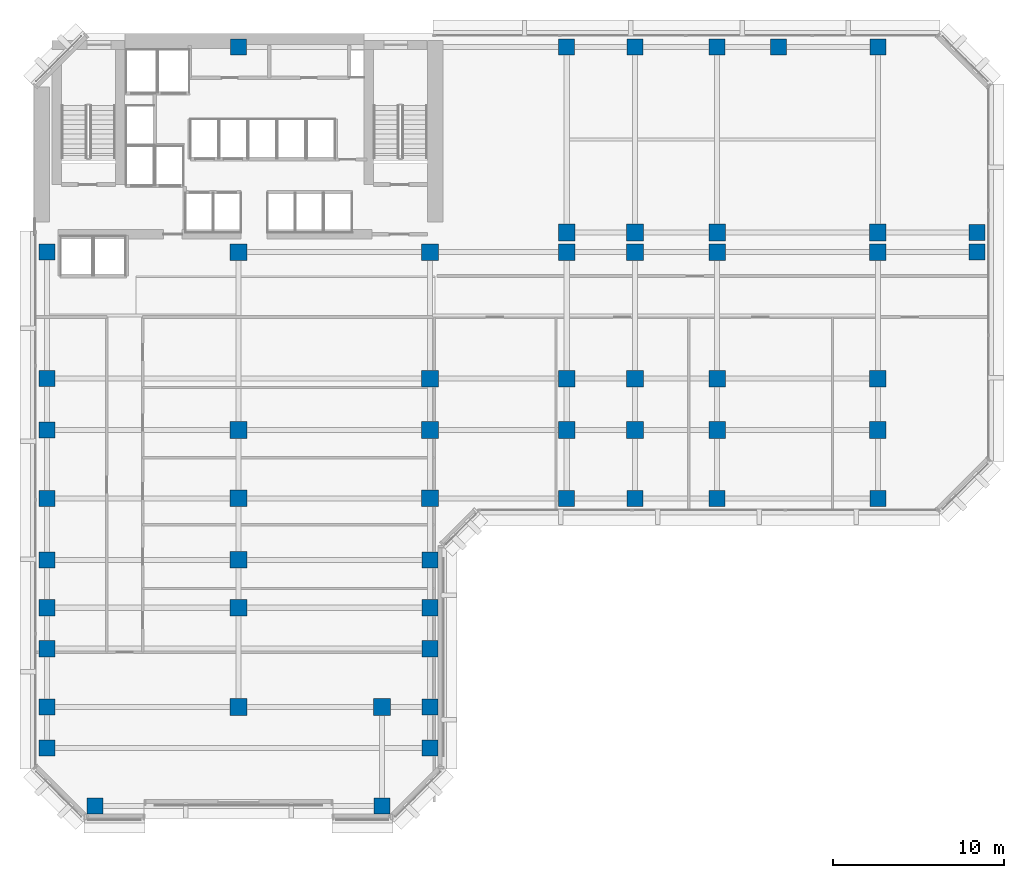
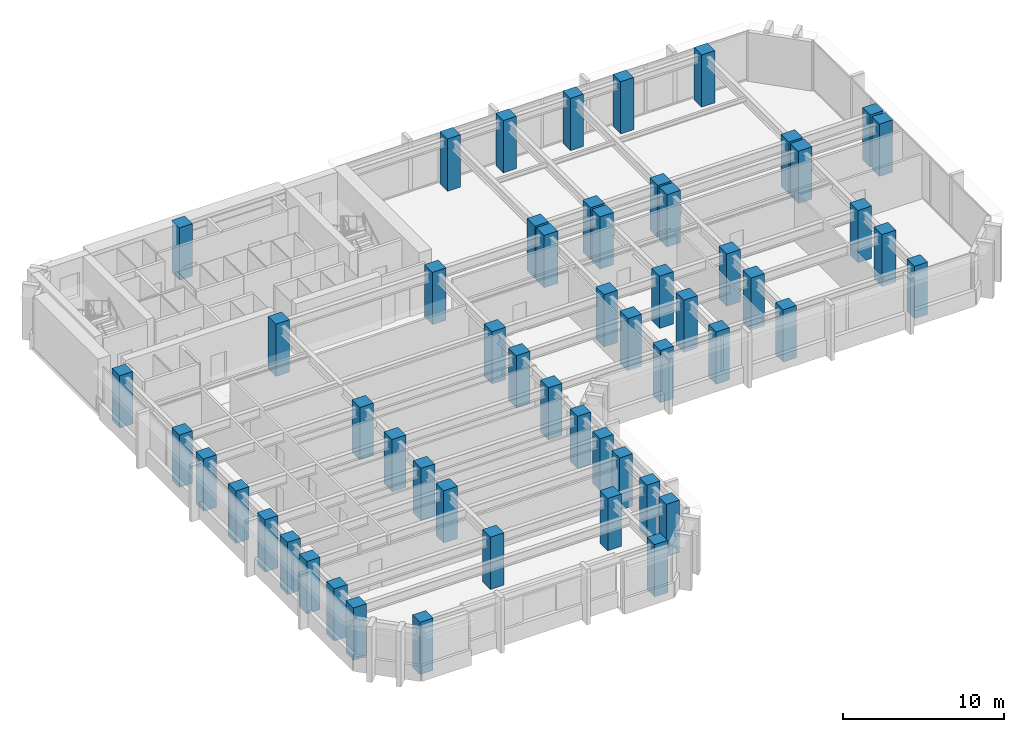
# One storey, part 1 of 13: 55 columns.
"""IFC4 building model written with IfcOpenShell, lengths in metres."""

from ifc_helpers import new_model, si_unit, direction, frame, origin, origin_2d, place, context, subcontext, project, spatial, rectangle, extrude, material, material_profile, profile_set, type_object, element, save


model = new_model("IFC4")

# Units and contexts
model_context = context("Model", 3, precision=1e-05, world=origin(), true_north=direction((0.0, 1.0)))
body_context = subcontext(model_context, "Body", "Model", "MODEL_VIEW")
ifc_project = project(units=[si_unit("LENGTHUNIT", "METRE"), si_unit("AREAUNIT", "SQUARE_METRE"), si_unit("VOLUMEUNIT", "CUBIC_METRE"), si_unit("PLANEANGLEUNIT", "RADIAN"), si_unit("MASSUNIT", "GRAM", prefix="KILO")], contexts=[model_context])

# Site, building, storey
site_placement = place(None, origin())
site = spatial("IfcSite", under=ifc_project, at=site_placement, CompositionType="ELEMENT")
building_placement = place(site_placement, origin())
building = spatial("IfcBuilding", under=site, at=building_placement, Name="Kefirva Bronze Tower", CompositionType="ELEMENT")
storey_placement = place(building_placement, frame((0.0, 0.0, 77.8798828125)))
storey = spatial("IfcBuildingStorey", under=building, at=storey_placement, Name="L18", CompositionType="ELEMENT", Elevation=77.8798828125)

# Columns
ifc_material = material(Name="Concrete C60/75", Category="concrete")
ifc_material_profile_1 = material_profile(ifc_material, rectangle(XDim=0.93994140625, YDim=0.93994140625, at=origin_2d()), Name="RC 940x940")
ifc_profile_set_1 = profile_set([ifc_material_profile_1], Name="Concrete C60/75")
column_type_1 = type_object("IfcColumnType", Name="RC Column 940x940 Ext", PredefinedType="COLUMN", material=ifc_profile_set_1)
for number, where, z_axis, x_axis, name in (
    (1, (0.800048828125, 4.199951171875, 0.0), (0.0, 0.0, 1.0), (1.0, 0.0, 0.0), "L18 Column C008_042"),
    (2, (0.800048828125, 6.60009765625, 0.0), (0.0, 0.0, 1.0), (1.0, 0.0, 0.0), "L18 Column C008_066"),
    (3, (0.800048828125, 10.0, 0.0), (0.0, 0.0, 1.0), (1.0, 0.0, 0.0), "L18 Column C008_100"),
    (4, (0.800048828125, 12.39990234375, 0.0), (0.0, 0.0, 1.0), (1.0, 0.0, 0.0), "L18 Column C008_124"),
    (5, (0.800048828125, 15.199951171875, 0.0), (0.0, 0.0, 1.0), (1.0, 0.0, 0.0), "L18 Column C008_152"),
    (6, (0.800048828125, 18.800048828125, 0.0), (0.0, 0.0, 1.0), (1.0, 0.0, 0.0), "L18 Column C008_188"),
    (7, (0.800048828125, 22.800048828125, 0.0), (0.0, 0.0, 1.0), (1.0, 0.0, 0.0), "L18 Column C008_228"),
    (8, (0.800048828125, 25.800048828125, 0.0), (0.0, 0.0, 1.0), (1.0, 0.0, 0.0), "L18 Column C008_258"),
    (9, (0.800048828125, 33.199951171875, 0.0), (0.0, 0.0, 1.0), (1.0, 0.0, 0.0), "L18 Column C008_332"),
    (10, (3.60009765625, 0.800048828125, 0.0), (0.0, 0.0, 1.0), (1.0, 0.0, 0.0), "L18 Column C036_008"),
    (11, (12.0, 45.199951171875, 0.0), (0.0, 0.0, 1.0), (1.0, 0.0, 0.0), "L18 Column C120_452"),
    (12, (20.39990234375, 0.800048828125, 0.0), (0.0, 0.0, 1.0), (1.0, 0.0, 0.0), "L18 Column C204_008"),
    (13, (23.199951171875, 4.199951171875, 0.0), (0.0, 0.0, 1.0), (1.0, 0.0, 0.0), "L18 Column C232_042"),
    (14, (23.199951171875, 6.60009765625, 0.0), (0.0, 0.0, 1.0), (1.0, 0.0, 0.0), "L18 Column C232_066"),
    (15, (23.199951171875, 10.0, 0.0), (0.0, 0.0, 1.0), (1.0, 0.0, 0.0), "L18 Column C232_100"),
    (16, (23.199951171875, 12.39990234375, 0.0), (0.0, 0.0, 1.0), (1.0, 0.0, 0.0), "L18 Column C232_124"),
    (17, (23.199951171875, 15.199951171875, 0.0), (0.0, 0.0, 1.0), (1.0, 0.0, 0.0), "L18 Column C232_152"),
    (18, (31.199951171875, 18.800048828125, 0.0), (0.0, 0.0, 1.0), (1.0, 0.0, 0.0), "L18 Column C312_188"),
    (19, (31.199951171875, 45.199951171875, 0.0), (0.0, 0.0, 1.0), (1.0, 0.0, 0.0), "L18 Column C312_452"),
    (20, (35.199951171875, 18.800048828125, 0.0), (0.0, 0.0, 1.0), (1.0, 0.0, 0.0), "L18 Column C352_188"),
    (21, (35.199951171875, 45.199951171875, 0.0), (0.0, 0.0, 1.0), (1.0, 0.0, 0.0), "L18 Column C352_452"),
    (22, (40.0, 18.800048828125, 0.0), (0.0, 0.0, 1.0), (1.0, 0.0, 0.0), "L18 Column C400_188"),
    (23, (40.0, 45.199951171875, 0.0), (0.0, 0.0, 1.0), (1.0, 0.0, 0.0), "L18 Column C400_452"),
    (24, (43.60009765625, 45.199951171875, 0.0), (0.0, 0.0, 1.0), (1.0, 0.0, 0.0), "L18 Column C436_452"),
    (25, (49.39990234375, 18.800048828125, 0.0), (0.0, 0.0, 1.0), (1.0, 0.0, 0.0), "L18 Column C494_188"),
    (26, (49.39990234375, 45.199951171875, 0.0), (0.0, 0.0, 1.0), (1.0, 0.0, 0.0), "L18 Column C494_452"),
    (27, (55.199951171875, 33.199951171875, 0.0), (0.0, 0.0, 1.0), (1.0, 0.0, 0.0), "L18 Column C552_332"),
    (28, (55.199951171875, 34.35009765625, 0.0), (0.0, 0.0, 1.0), (1.0, 0.0, 0.0), "L18 Column C552_344"),
):
    element("IfcColumn", number, at=place(storey_placement, frame(where, z_axis=z_axis, x_axis=x_axis)), inside=storey, type_object=column_type_1, Name=name, PredefinedType="COLUMN", context=body_context, shape_type="SweptSolid", body=[
        extrude(rectangle(XDim=0.93994140625, YDim=0.93994140625, at=origin_2d()), origin(), (0.0, 0.0, 1.0), 3.960205078125),
    ])
ifc_material_profile_2 = material_profile(ifc_material, rectangle(XDim=0.97998046875, YDim=0.97998046875, at=origin_2d()), Name="RC 980x980")
ifc_profile_set_2 = profile_set([ifc_material_profile_2], Name="Concrete C60/75")
column_type_2 = type_object("IfcColumnType", Name="RC Column 980x980 Int", PredefinedType="COLUMN", material=ifc_profile_set_2)
for number, where, z_axis, x_axis, name in (
    (29, (12.0, 6.60009765625, 0.0), (0.0, 0.0, 1.0), (1.0, 0.0, 0.0), "L18 Column C120_066"),
    (30, (12.0, 12.39990234375, 0.0), (0.0, 0.0, 1.0), (1.0, 0.0, 0.0), "L18 Column C120_124"),
    (31, (12.0, 15.199951171875, 0.0), (0.0, 0.0, 1.0), (1.0, 0.0, 0.0), "L18 Column C120_152"),
    (32, (12.0, 18.800048828125, 0.0), (0.0, 0.0, 1.0), (1.0, 0.0, 0.0), "L18 Column C120_188"),
    (33, (12.0, 22.800048828125, 0.0), (0.0, 0.0, 1.0), (1.0, 0.0, 0.0), "L18 Column C120_228"),
    (34, (12.0, 33.199951171875, 0.0), (0.0, 0.0, 1.0), (1.0, 0.0, 0.0), "L18 Column C120_332"),
    (35, (20.39990234375, 6.60009765625, 0.0), (0.0, 0.0, 1.0), (1.0, 0.0, 0.0), "L18 Column C204_066"),
    (36, (23.199951171875, 18.800048828125, 0.0), (0.0, 0.0, 1.0), (1.0, 0.0, 0.0), "L18 Column C232_188"),
    (37, (23.199951171875, 22.800048828125, 0.0), (0.0, 0.0, 1.0), (1.0, 0.0, 0.0), "L18 Column C232_228"),
    (38, (23.199951171875, 25.800048828125, 0.0), (0.0, 0.0, 1.0), (1.0, 0.0, 0.0), "L18 Column C232_258"),
    (39, (23.199951171875, 33.199951171875, 0.0), (0.0, 0.0, 1.0), (1.0, 0.0, 0.0), "L18 Column C232_332"),
    (40, (31.199951171875, 22.800048828125, 0.0), (0.0, 0.0, 1.0), (1.0, 0.0, 0.0), "L18 Column C312_228"),
    (41, (31.199951171875, 25.800048828125, 0.0), (0.0, 0.0, 1.0), (1.0, 0.0, 0.0), "L18 Column C312_258"),
    (42, (31.199951171875, 33.199951171875, 0.0), (0.0, 0.0, 1.0), (1.0, 0.0, 0.0), "L18 Column C312_332"),
    (43, (31.199951171875, 34.35009765625, 0.0), (0.0, 0.0, 1.0), (1.0, 0.0, 0.0), "L18 Column C312_344"),
    (44, (35.199951171875, 22.800048828125, 0.0), (0.0, 0.0, 1.0), (1.0, 0.0, 0.0), "L18 Column C352_228"),
    (45, (35.199951171875, 25.800048828125, 0.0), (0.0, 0.0, 1.0), (1.0, 0.0, 0.0), "L18 Column C352_258"),
    (46, (35.199951171875, 33.199951171875, 0.0), (0.0, 0.0, 1.0), (1.0, 0.0, 0.0), "L18 Column C352_332"),
    (47, (35.199951171875, 34.35009765625, 0.0), (0.0, 0.0, 1.0), (1.0, 0.0, 0.0), "L18 Column C352_344"),
    (48, (40.0, 22.800048828125, 0.0), (0.0, 0.0, 1.0), (1.0, 0.0, 0.0), "L18 Column C400_228"),
    (49, (40.0, 25.800048828125, 0.0), (0.0, 0.0, 1.0), (1.0, 0.0, 0.0), "L18 Column C400_258"),
    (50, (40.0, 33.199951171875, 0.0), (0.0, 0.0, 1.0), (1.0, 0.0, 0.0), "L18 Column C400_332"),
    (51, (40.0, 34.35009765625, 0.0), (0.0, 0.0, 1.0), (1.0, 0.0, 0.0), "L18 Column C400_344"),
    (52, (49.39990234375, 22.800048828125, 0.0), (0.0, 0.0, 1.0), (1.0, 0.0, 0.0), "L18 Column C494_228"),
    (53, (49.39990234375, 25.800048828125, 0.0), (0.0, 0.0, 1.0), (1.0, 0.0, 0.0), "L18 Column C494_258"),
    (54, (49.39990234375, 33.199951171875, 0.0), (0.0, 0.0, 1.0), (1.0, 0.0, 0.0), "L18 Column C494_332"),
    (55, (49.39990234375, 34.35009765625, 0.0), (0.0, 0.0, 1.0), (1.0, 0.0, 0.0), "L18 Column C494_344"),
):
    element("IfcColumn", number, at=place(storey_placement, frame(where, z_axis=z_axis, x_axis=x_axis)), inside=storey, type_object=column_type_2, Name=name, PredefinedType="COLUMN", context=body_context, shape_type="SweptSolid", body=[
        extrude(rectangle(XDim=0.97998046875, YDim=0.97998046875, at=origin_2d()), origin(), (0.0, 0.0, 1.0), 3.960205078125),
    ])

save(model, "model.ifc")
